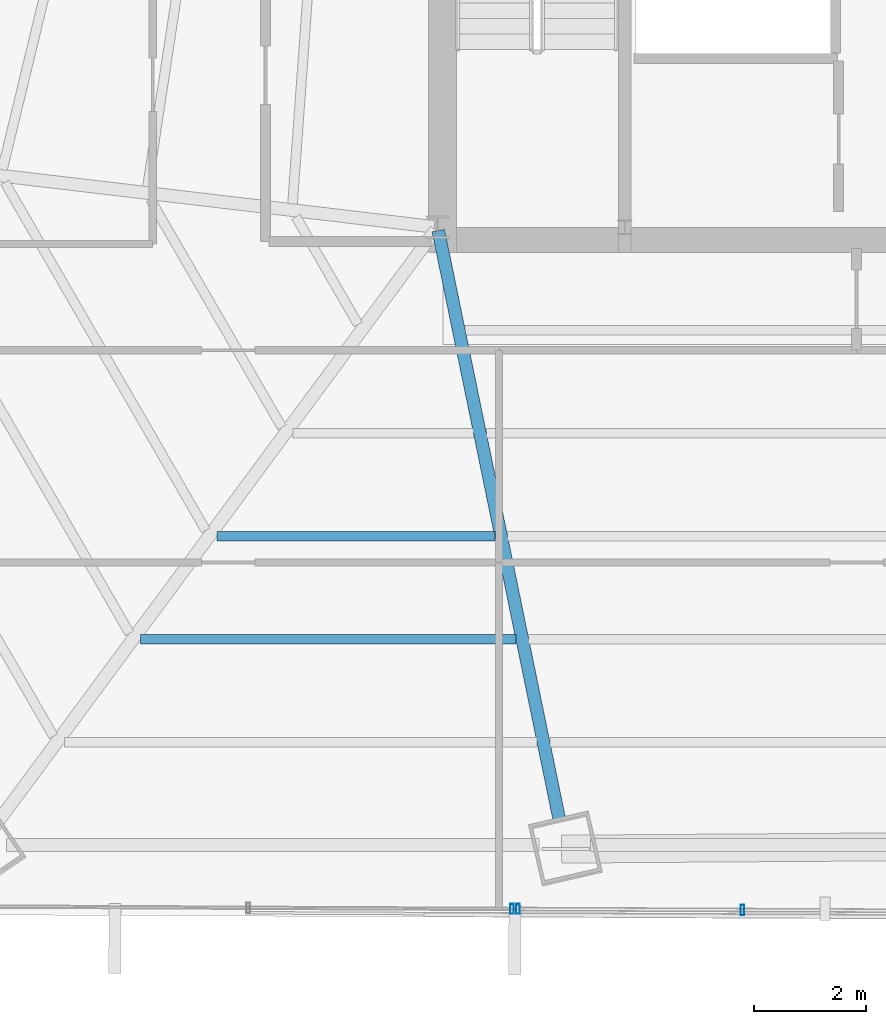
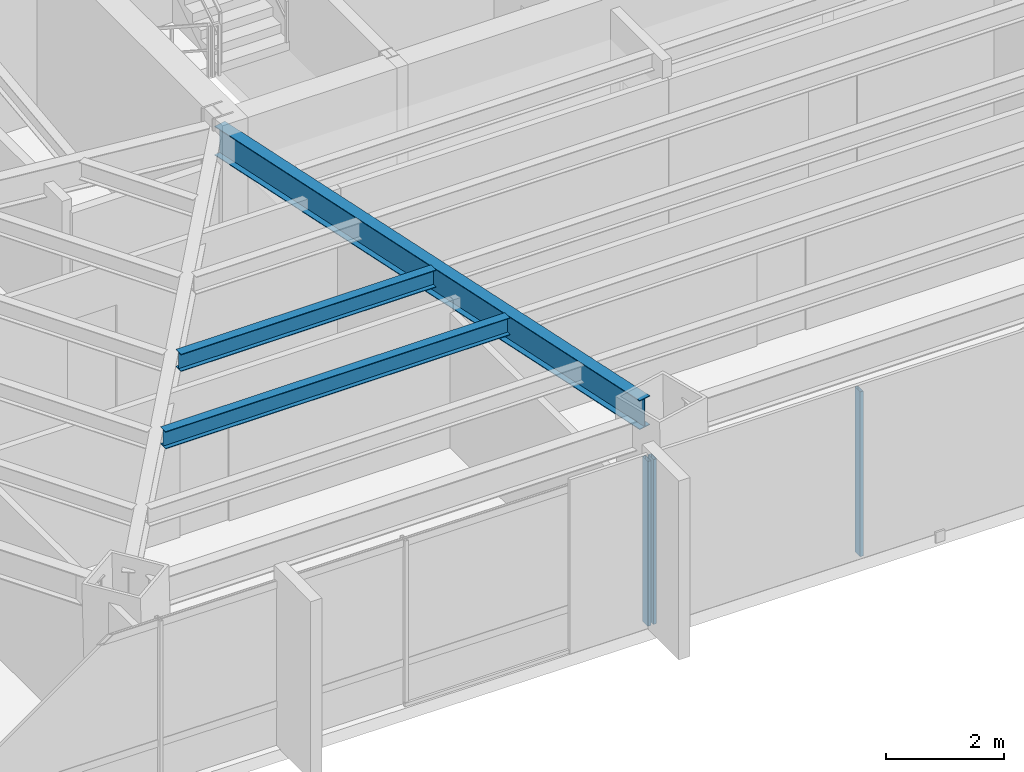
# One storey, part 8 of 37: 3 beams, 3 members, 2 elements without a shape of their own.
"""IFC4 building model written with IfcOpenShell, lengths in metres."""

from ifc_helpers import new_model, si_unit, direction, frame, origin, origin_2d, place, context, subcontext, project, spatial, hollow_rectangle, i_section, extrude, source, transform, mapped, material, material_profile, profile_set, type_object, type_shapes, element, aggregate, save


model = new_model("IFC4")

# Units and contexts
model_context = context("Model", 3, precision=1e-05, world=origin(), true_north=direction((0.0, 1.0)))
body_context = subcontext(model_context, "Body", "Model", "MODEL_VIEW")
ifc_project = project(units=[si_unit("LENGTHUNIT", "METRE"), si_unit("AREAUNIT", "SQUARE_METRE"), si_unit("VOLUMEUNIT", "CUBIC_METRE"), si_unit("PLANEANGLEUNIT", "RADIAN"), si_unit("MASSUNIT", "GRAM", prefix="KILO")], contexts=[model_context])

# Site, building, storey
site_placement = place(None, origin())
site = spatial("IfcSite", under=ifc_project, at=site_placement, CompositionType="ELEMENT")
building_placement = place(site_placement, origin())
building = spatial("IfcBuilding", under=site, at=building_placement, Name="Caelisora Broadcast Tower", CompositionType="ELEMENT")
storey_placement = place(building_placement, frame((0.0, 0.0, 101.75)))
storey = spatial("IfcBuildingStorey", under=building, at=storey_placement, Name="L26", CompositionType="ELEMENT", Elevation=101.75)

# Beams
ifc_material_1 = material(Name="Steel Grade 350 (AS/NZS 3679.1)", Category="steel")
ifc_material_profile_1 = material_profile(ifc_material_1, i_section(OverallWidth=0.22802734375, OverallDepth=0.602294921875, WebThickness=0.010498046875, FlangeThickness=0.014892578125, at=origin_2d()), Name="Steel Grade 350 (AS/NZS 3679.1)")
ifc_profile_set_1 = profile_set([ifc_material_profile_1], Name="Steel Grade 350 (AS/NZS 3679.1)")
beam_type_1 = type_object("IfcBeamType", Name="PG04", PredefinedType="BEAM", material=ifc_profile_set_1)
shared_shape_1 = source(origin(), body_context, "Body", "SweptSolid", [
    extrude(i_section(OverallWidth=0.22802734375, OverallDepth=0.602294921875, WebThickness=0.010498046875, FlangeThickness=0.014892578125, at=origin_2d()), origin(), (0.0, 0.0, 1.0), 10.810302734375),
])
type_shapes(beam_type_1, [shared_shape_1])
beam_1_placement = place(storey_placement, frame((30.51220703125, 17.34130859375, 3.098876953125), z_axis=(0.201338118408, -0.979521802757, 0.0), x_axis=(0.979521802757, 0.201338118408, 0.0)))
element("IfcBeam", 1, at=beam_1_placement, inside=storey, type_object=beam_type_1, Name="L26 beam PG04", PredefinedType="BEAM", context=body_context, shape_type="MappedRepresentation", body=[
    mapped(shared_shape_1, transform((0.0, 0.0, 0.0), scale=1.0)),
])
ifc_material_profile_2 = material_profile(ifc_material_1, i_section(OverallWidth=0.172119140625, OverallDepth=0.358642578125, WebThickness=0.008056640625, FlangeThickness=0.012939453125, at=origin_2d()), Name="Steel Grade 350 (AS/NZS 3679.1)")
ifc_profile_set_2 = profile_set([ifc_material_profile_2], Name="Steel Grade 350 (AS/NZS 3679.1)")
beam_type_2 = type_object("IfcBeamType", Name="SB02", PredefinedType="JOIST", material=ifc_profile_set_2)
shared_shape_2 = source(origin(), body_context, "Body", "SweptSolid", [
    extrude(i_section(OverallWidth=0.172119140625, OverallDepth=0.358642578125, WebThickness=0.008056640625, FlangeThickness=0.012939453125, at=origin_2d()), origin(), (0.0, 0.0, 1.0), 4.974609375),
])
beam_2_placement = place(storey_placement, frame((26.548583984375, 11.87060546875, 3.220703125), z_axis=(1.0, 0.0, 0.0), x_axis=(0.0, 1.0, 0.0)))
element("IfcBeam", 2, at=beam_2_placement, inside=storey, type_object=beam_type_2, Name="L26 beam SB02", PredefinedType="JOIST", context=body_context, shape_type="MappedRepresentation", body=[
    mapped(shared_shape_2, transform((0.0, 0.0, 0.0), scale=1.0)),
])
shared_shape_3 = source(origin(), body_context, "Body", "SweptSolid", [
    extrude(i_section(OverallWidth=0.172119140625, OverallDepth=0.358642578125, WebThickness=0.008056640625, FlangeThickness=0.012939453125, at=origin_2d()), origin(), (0.0, 0.0, 1.0), 6.716796875),
])
type_shapes(beam_type_2, [shared_shape_2, shared_shape_3])
beam_3_placement = place(storey_placement, frame((25.185302734375, 10.02734375, 3.220703125), z_axis=(1.0, 0.0, 0.0), x_axis=(0.0, 1.0, 0.0)))
element("IfcBeam", 3, at=beam_3_placement, inside=storey, type_object=beam_type_2, Name="L26 beam SB02", PredefinedType="JOIST", context=body_context, shape_type="MappedRepresentation", body=[
    mapped(shared_shape_3, transform((0.0, 0.0, 0.0), scale=1.0)),
])

# Curtain wall, members
ifc_material_2 = material(Name="Unitised Aluminium Insulated Shadow-Box Spandrel Curtain Wall", Category="aluminium")
curtain_wall_type_1 = type_object("IfcCurtainWallType", Name="CW-SP1", PredefinedType="NOTDEFINED", material=ifc_material_2)
curtain_wall_1_placement = place(storey_placement, origin())
curtain_wall_1 = element("IfcCurtainWall", 4, at=curtain_wall_1_placement, inside=storey, type_object=curtain_wall_type_1, Name="L26 curtain wall CW-SP1", PredefinedType="NOTDEFINED")
ifc_material_3 = material(Name="Aluminium 6063-T6 Anodised Terracotta Bronze", Category="aluminium")
ifc_material_profile_3 = material_profile(ifc_material_3, hollow_rectangle(XDim=0.06494140625, YDim=0.179931640625, WallThickness=0.00341796875, at=origin_2d()), Name="Aluminium 6063-T6 Anodised Terracotta Bronze")
ifc_profile_set_3 = profile_set([ifc_material_profile_3], Name="Aluminium 6063-T6 Anodised Terracotta Bronze")
member_type = type_object("IfcMemberType", Name="CWM-02", PredefinedType="MULLION", material=ifc_profile_set_3)
shared_shape_4 = source(origin(), body_context, "Body", "SweptSolid", [
    extrude(hollow_rectangle(XDim=0.06494140625, YDim=0.179931640625, WallThickness=0.00341796875, at=origin_2d()), origin(), (0.0, 0.0, 1.0), 3.39990234375),
])
type_shapes(member_type, [shared_shape_4])
member_1_placement = place(storey_placement, frame((35.9599609375, 5.1787109375, 0.0), z_axis=(0.0, 0.0, 1.0), x_axis=(1.0, 0.0, 0.0)))
member_1 = element("IfcMember", 5, at=member_1_placement, type_object=member_type, Name="L26-CW-B06 mullion #2", PredefinedType="MULLION", context=body_context, shape_type="MappedRepresentation", body=[
    mapped(shared_shape_4, transform((0.0, 0.0, 0.0), scale=1.0)),
])
member_2_placement = place(storey_placement, frame((31.939697265625, 5.197265625, 0.0), z_axis=(0.0, 0.0, 1.0), x_axis=(1.0, 0.0, 0.0)))
member_2 = element("IfcMember", 6, at=member_2_placement, type_object=member_type, Name="L26-CW-B06 mullion #3", PredefinedType="MULLION", context=body_context, shape_type="MappedRepresentation", body=[
    mapped(shared_shape_4, transform((0.0, 0.0, 0.0), scale=1.0)),
])
aggregate(curtain_wall_1, [member_1, member_2])

# Curtain wall, member
ifc_material_4 = material(Name="Unitised Aluminium and Low-E Glass Curtain Wall", Category="glass")
curtain_wall_type_2 = type_object("IfcCurtainWallType", Name="CW-Z2", PredefinedType="NOTDEFINED", material=ifc_material_4)
curtain_wall_2_placement = place(storey_placement, origin())
curtain_wall_2 = element("IfcCurtainWall", 7, at=curtain_wall_2_placement, inside=storey, type_object=curtain_wall_type_2, Name="L26 curtain wall CW-Z2", PredefinedType="NOTDEFINED")
member_3_placement = place(storey_placement, frame((31.829833984375, 5.19775390625, 0.0), z_axis=(0.0, 0.0, 1.0), x_axis=(1.0, 0.0, 0.0)))
member_3 = element("IfcMember", 8, at=member_3_placement, type_object=member_type, Name="L26-CW-B07 mullion #0", PredefinedType="MULLION", context=body_context, shape_type="MappedRepresentation", body=[
    mapped(shared_shape_4, transform((0.0, 0.0, 0.0), scale=1.0)),
])
aggregate(curtain_wall_2, [member_3])

save(model, "model.ifc")
